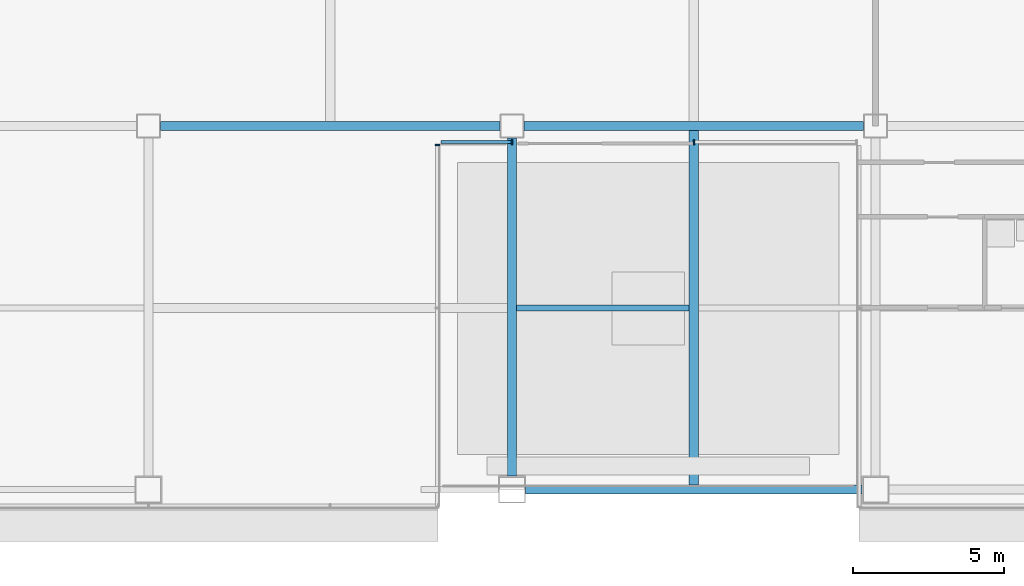
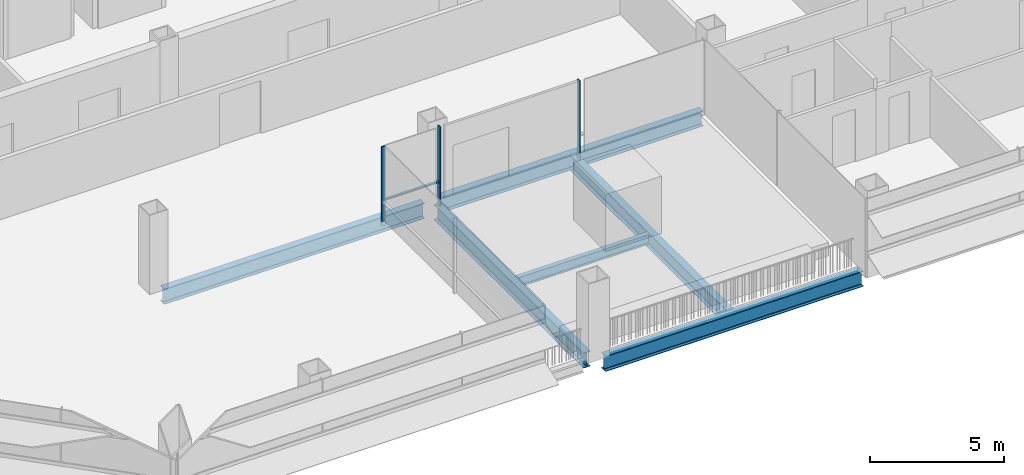
# One storey, part 3 of 27: 6 beams, 4 members, 2 elements without a shape of their own.
"""IFC4 building model written with IfcOpenShell, lengths in metres."""

from ifc_helpers import new_model, si_unit, direction, frame, origin, origin_2d, place, context, subcontext, project, spatial, rectangle, i_section, extrude, material, material_profile, profile_set, type_object, element, aggregate, save


model = new_model("IFC4")

# Units and contexts
model_context = context("Model", 3, precision=1e-05, world=origin(), true_north=direction((0.0, 1.0)))
body_context = subcontext(model_context, "Body", "Model", "MODEL_VIEW")
ifc_project = project(units=[si_unit("LENGTHUNIT", "METRE"), si_unit("AREAUNIT", "SQUARE_METRE"), si_unit("VOLUMEUNIT", "CUBIC_METRE"), si_unit("PLANEANGLEUNIT", "RADIAN"), si_unit("MASSUNIT", "GRAM", prefix="KILO")], contexts=[model_context])

# Site, building, storey
site_placement = place(None, origin())
site = spatial("IfcSite", under=ifc_project, at=site_placement, CompositionType="ELEMENT")
building_placement = place(site_placement, origin())
building = spatial("IfcBuilding", under=site, at=building_placement, Name="Sorahane Residences", CompositionType="ELEMENT")
storey_placement = place(building_placement, frame((0.0, 0.0, 82.199951171875)))
storey = spatial("IfcBuildingStorey", under=building, at=storey_placement, Name="L17", CompositionType="ELEMENT", Elevation=82.199951171875)

# Curtain wall, member
ifc_material_1 = material(Name="Dark low-e glass and black anodised aluminium", Category="aluminium")
curtain_wall_type = type_object("IfcCurtainWallType", Name="Curtain wall CW-1 Typical unitised wall", PredefinedType="NOTDEFINED", material=ifc_material_1)
curtain_wall_1_placement = place(storey_placement, origin())
curtain_wall_1 = element("IfcCurtainWall", 1, at=curtain_wall_1_placement, inside=storey, type_object=curtain_wall_type, Name="CW-1 curtain wall L17 E1", PredefinedType="NOTDEFINED")
ifc_material_2 = material(Name="Black anodised aluminium", Category="aluminium")
ifc_material_profile_1 = material_profile(ifc_material_2, rectangle(XDim=0.159912109375, YDim=0.050048828125, at=origin_2d()), Name="Curtain wall mullion CW-1 black anodised aluminium 50x160")
ifc_profile_set_1 = profile_set([ifc_material_profile_1], Name="Black anodised aluminium")
member_type_1 = type_object("IfcMemberType", Name="Curtain wall mullion CW-1 black anodised aluminium 50x160", PredefinedType="MULLION", material=ifc_profile_set_1)
member_1_placement = place(storey_placement, frame((21.5400390625, 11.375, -0.179931640625), z_axis=(0.0, 0.0, 1.0), x_axis=(1.0, 0.0, 0.0)))
member_1 = element("IfcMember", 2, at=member_1_placement, type_object=member_type_1, Name="CW-1 mullion L17 E1.3", PredefinedType="MULLION", context=body_context, shape_type="SweptSolid", body=[
    extrude(rectangle(XDim=0.159912109375, YDim=0.050048828125, at=origin_2d()), origin(), (0.0, 0.0, 1.0), 3.60009765625),
])
aggregate(curtain_wall_1, [member_1])

# Curtain wall, members
curtain_wall_2_placement = place(storey_placement, origin())
curtain_wall_2 = element("IfcCurtainWall", 3, at=curtain_wall_2_placement, inside=storey, type_object=curtain_wall_type, Name="CW-1 curtain wall L17 S2", PredefinedType="NOTDEFINED")
member_2_placement = place(storey_placement, frame((24.0, 11.4599609375, -0.179931640625), z_axis=(0.0, 0.0, 1.0), x_axis=(0.0, -1.0, 0.0)))
member_2 = element("IfcMember", 4, at=member_2_placement, type_object=member_type_1, Name="CW-1 mullion L17 S2.2", PredefinedType="MULLION", context=body_context, shape_type="SweptSolid", body=[
    extrude(rectangle(XDim=0.159912109375, YDim=0.050048828125, at=origin_2d()), origin(), (0.0, 0.0, 1.0), 3.60009765625),
])
member_3_placement = place(storey_placement, frame((30.0, 11.4599609375, -0.179931640625), z_axis=(0.0, 0.0, 1.0), x_axis=(0.0, -1.0, 0.0)))
member_3 = element("IfcMember", 5, at=member_3_placement, type_object=member_type_1, Name="CW-1 mullion L17 S2.3", PredefinedType="MULLION", context=body_context, shape_type="SweptSolid", body=[
    extrude(rectangle(XDim=0.159912109375, YDim=0.050048828125, at=origin_2d()), origin(), (0.0, 0.0, 1.0), 3.60009765625),
])
ifc_material_3 = material(Name="Black anodised aluminium", Category="aluminium")
ifc_material_profile_2 = material_profile(ifc_material_3, rectangle(XDim=0.10009765625, YDim=0.06005859375, at=origin_2d()), Name="Curtain wall transom CW-1 black anodised aluminium 60x100")
ifc_profile_set_2 = profile_set([ifc_material_profile_2], Name="Black anodised aluminium")
member_type_2 = type_object("IfcMemberType", Name="Curtain wall transom CW-1 black anodised aluminium 60x100", PredefinedType="USERDEFINED", material=ifc_profile_set_2)
member_4_placement = place(storey_placement, frame((21.64990234375, 11.469970703125, 0.900146484375), z_axis=(1.0, 0.0, 0.0), x_axis=(0.0, 1.0, 0.0)))
member_4 = element("IfcMember", 6, at=member_4_placement, type_object=member_type_2, Name="CW-1 transom L17 S2.1", ObjectType="TRANSOM", PredefinedType="USERDEFINED", context=body_context, shape_type="SweptSolid", body=[
    extrude(rectangle(XDim=0.10009765625, YDim=0.06005859375, at=origin_2d()), origin(), (0.0, 0.0, 1.0), 2.3251953125),
])
aggregate(curtain_wall_2, [member_2, member_3, member_4])

# Beams
ifc_material_4 = material(Name="Steel Q355B", Category="steel")
ifc_material_profile_3 = material_profile(ifc_material_4, i_section(OverallWidth=0.199951171875, OverallDepth=0.449951171875, WebThickness=0.009033203125, FlangeThickness=0.013916015625, FilletRadius=0.02001953125, at=origin_2d()), Name="HN 450x200x9x14")
ifc_profile_set_3 = profile_set([ifc_material_profile_3], Name="Steel Q355B")
beam_type_1 = type_object("IfcBeamType", Name="Steel floor beam HN 450x200x9x14 Q355B", PredefinedType="BEAM", material=ifc_profile_set_3)
beam_1_placement = place(storey_placement, frame((24.14990234375, 6.0, -0.405029296875), z_axis=(1.0, 0.0, 0.0), x_axis=(0.0, 1.0, 0.0)))
element("IfcBeam", 7, at=beam_1_placement, inside=storey, type_object=beam_type_1, Name="Beam L17 063", PredefinedType="BEAM", context=body_context, shape_type="SweptSolid", body=[
    extrude(i_section(OverallWidth=0.199951171875, OverallDepth=0.449951171875, WebThickness=0.009033203125, FlangeThickness=0.013916015625, FilletRadius=0.02001953125, at=origin_2d()), origin(), (0.0, 0.0, 1.0), 5.7001953125),
])
ifc_material_5 = material(Name="Steel Q355B", Category="steel")
ifc_material_profile_4 = material_profile(ifc_material_5, i_section(OverallWidth=0.300048828125, OverallDepth=0.699951171875, WebThickness=0.012939453125, FlangeThickness=0.02392578125, FilletRadius=0.028076171875, at=origin_2d()), Name="HN 700x300x13x24")
ifc_profile_set_4 = profile_set([ifc_material_profile_4], Name="Steel Q355B")
beam_type_2 = type_object("IfcBeamType", Name="Steel floor beam HN 700x300x13x24 Q355B", PredefinedType="BEAM", material=ifc_profile_set_4)
beam_2_placement = place(storey_placement, frame((24.449951171875, 0.0, -0.530029296875), z_axis=(1.0, 0.0, 0.0), x_axis=(0.0, 1.0, 0.0)))
element("IfcBeam", 8, at=beam_2_placement, inside=storey, type_object=beam_type_2, Name="Beam L17 001", PredefinedType="BEAM", context=body_context, shape_type="SweptSolid", body=[
    extrude(i_section(OverallWidth=0.300048828125, OverallDepth=0.699951171875, WebThickness=0.012939453125, FlangeThickness=0.02392578125, FilletRadius=0.028076171875, at=origin_2d()), origin(), (0.0, 0.0, 1.0), 11.10009765625),
])
for number, where, z_axis, x_axis, name in (
    (9, (12.39990234375, 12.0, -0.530029296875), (1.0, 0.0, 0.0), (0.0, 1.0, 0.0), "Beam L17 006"),
    (10, (24.39990234375, 12.0, -0.530029296875), (1.0, 0.0, 0.0), (0.0, 1.0, 0.0), "Beam L17 007"),
):
    element("IfcBeam", number, at=place(storey_placement, frame(where, z_axis=z_axis, x_axis=x_axis)), inside=storey, type_object=beam_type_2, Name=name, PredefinedType="BEAM", context=body_context, shape_type="SweptSolid", body=[
        extrude(i_section(OverallWidth=0.300048828125, OverallDepth=0.699951171875, WebThickness=0.012939453125, FlangeThickness=0.02392578125, FilletRadius=0.028076171875, at=origin_2d()), origin(), (0.0, 0.0, 1.0), 11.2001953125),
    ])
beam_3_placement = place(storey_placement, frame((24.0, 0.449951171875, -0.530029296875), z_axis=(0.0, 1.0, 0.0), x_axis=(-1.0, 0.0, 0.0)))
element("IfcBeam", 11, at=beam_3_placement, inside=storey, type_object=beam_type_2, Name="Beam L17 034", PredefinedType="BEAM", context=body_context, shape_type="SweptSolid", body=[
    extrude(i_section(OverallWidth=0.300048828125, OverallDepth=0.699951171875, WebThickness=0.012939453125, FlangeThickness=0.02392578125, FilletRadius=0.028076171875, at=origin_2d()), origin(), (0.0, 0.0, 1.0), 11.150146484375),
])
beam_4_placement = place(storey_placement, frame((30.0, 0.14990234375, -0.530029296875), z_axis=(0.0, 1.0, 0.0), x_axis=(-1.0, 0.0, 0.0)))
element("IfcBeam", 12, at=beam_4_placement, inside=storey, type_object=beam_type_2, Name="Beam L17 036", PredefinedType="BEAM", context=body_context, shape_type="SweptSolid", body=[
    extrude(i_section(OverallWidth=0.300048828125, OverallDepth=0.699951171875, WebThickness=0.012939453125, FlangeThickness=0.02392578125, FilletRadius=0.028076171875, at=origin_2d()), origin(), (0.0, 0.0, 1.0), 11.7001953125),
])

save(model, "model.ifc")
